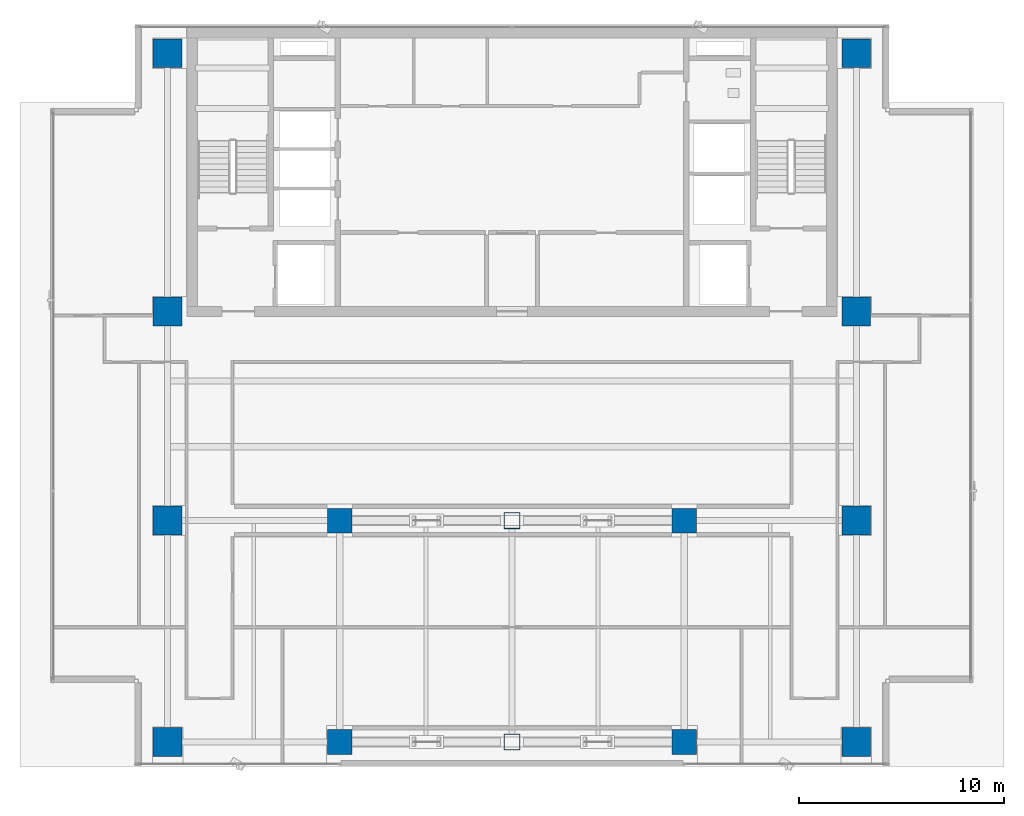
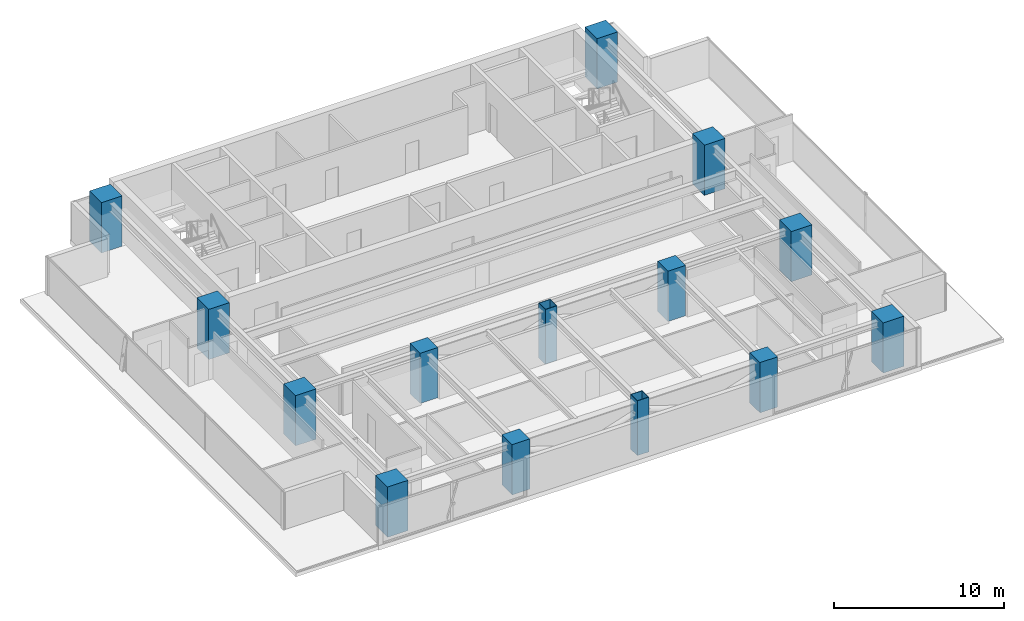
# One storey, part 1 of 27: 14 columns.
"""IFC4 building model written with IfcOpenShell, lengths in metres."""

from ifc_helpers import new_model, si_unit, direction, frame, origin, origin_2d, place, context, subcontext, project, spatial, rectangle, hollow_rectangle, extrude, source, transform, mapped, material, material_profile, profile_set, type_object, element, save


model = new_model("IFC4")

# Units and contexts
model_context = context("Model", 3, precision=1e-05, world=origin(), true_north=direction((0.0, 1.0)))
body_context = subcontext(model_context, "Body", "Model", "MODEL_VIEW")
ifc_project = project(units=[si_unit("LENGTHUNIT", "METRE"), si_unit("AREAUNIT", "SQUARE_METRE"), si_unit("VOLUMEUNIT", "CUBIC_METRE"), si_unit("PLANEANGLEUNIT", "RADIAN"), si_unit("MASSUNIT", "GRAM", prefix="KILO")], contexts=[model_context])

# Site, building, storey
site_placement = place(None, origin())
site = spatial("IfcSite", under=ifc_project, at=site_placement, CompositionType="ELEMENT")
building_placement = place(site_placement, origin())
building = spatial("IfcBuilding", under=site, at=building_placement, Name="Sumidabori Civic Tower", CompositionType="ELEMENT")
storey_placement = place(building_placement, frame((0.0, 0.0, 228.800048828125)))
storey = spatial("IfcBuildingStorey", under=building, at=storey_placement, Name="L59", CompositionType="ELEMENT", Elevation=228.800048828125)

# Columns
ifc_material_1 = material(Name="Concrete C60/75", Category="concrete")
ifc_material_profile_1 = material_profile(ifc_material_1, rectangle(XDim=1.39990234375, YDim=1.39990234375, at=origin_2d()), Name="RC 1400x1400")
ifc_profile_set_1 = profile_set([ifc_material_profile_1], Name="Concrete C60/75")
column_type_1 = type_object("IfcColumnType", Name="CL-MEGA-1400", PredefinedType="COLUMN", material=ifc_profile_set_1)
shared_shape_1 = source(origin(), body_context, "Body", "SweptSolid", [
    extrude(rectangle(XDim=1.39990234375, YDim=1.39990234375, at=origin_2d()), origin(), (0.0, 0.0, 1.0), 3.599853515625),
])
for number, where, z_axis, x_axis, name in (
    (1, (-16.800048828125, -10.800048828125, 0.0), (0.0, 0.0, 1.0), (1.0, 0.0, 0.0), "Column MC-W16-Y11S L59"),
    (2, (-16.800048828125, 0.0, 0.0), (0.0, 0.0, 1.0), (1.0, 0.0, 0.0), "Column MC-W16-Y00 L59"),
    (3, (-16.800048828125, 10.199951171875, 0.0), (0.0, 0.0, 1.0), (1.0, 0.0, 0.0), "Column MC-W16-Y10N L59"),
    (4, (-16.800048828125, 22.800048828125, 0.0), (0.0, 0.0, 1.0), (1.0, 0.0, 0.0), "Column MC-W16-Y23N L59"),
    (5, (16.800048828125, -10.800048828125, 0.0), (0.0, 0.0, 1.0), (1.0, 0.0, 0.0), "Column MC-E16-Y11S L59"),
    (6, (16.800048828125, 0.0, 0.0), (0.0, 0.0, 1.0), (1.0, 0.0, 0.0), "Column MC-E16-Y00 L59"),
    (7, (16.800048828125, 10.199951171875, 0.0), (0.0, 0.0, 1.0), (1.0, 0.0, 0.0), "Column MC-E16-Y10N L59"),
    (8, (16.800048828125, 22.800048828125, 0.0), (0.0, 0.0, 1.0), (1.0, 0.0, 0.0), "Column MC-E16-Y23N L59"),
):
    element("IfcColumn", number, at=place(storey_placement, frame(where, z_axis=z_axis, x_axis=x_axis)), inside=storey, type_object=column_type_1, Name=name, PredefinedType="COLUMN", context=body_context, shape_type="MappedRepresentation", body=[
        mapped(shared_shape_1, transform((0.0, 0.0, 0.0), x_axis=(1.0, 0.0, 0.0), y_axis=(0.0, 1.0, 0.0), z_axis=(0.0, 0.0, 1.0), scale=1.0)),
    ])
ifc_material_2 = material(Name="Concrete C50/60", Category="concrete")
ifc_material_profile_2 = material_profile(ifc_material_2, rectangle(XDim=1.199951171875, YDim=1.199951171875, at=origin_2d()), Name="RC 1200x1200")
ifc_profile_set_2 = profile_set([ifc_material_profile_2], Name="Concrete C50/60")
column_type_2 = type_object("IfcColumnType", Name="CL-MEGA-1200", PredefinedType="COLUMN", material=ifc_profile_set_2)
shared_shape_2 = source(origin(), body_context, "Body", "SweptSolid", [
    extrude(rectangle(XDim=1.199951171875, YDim=1.199951171875, at=origin_2d()), origin(), (0.0, 0.0, 1.0), 3.599853515625),
])
for number, where, z_axis, x_axis, name in (
    (9, (-8.39990234375, 0.0, 0.0), (0.0, 0.0, 1.0), (1.0, 0.0, 0.0), "Column MC-W08-Y00 L59"),
    (10, (-8.39990234375, -10.800048828125, 0.0), (0.0, 0.0, 1.0), (1.0, 0.0, 0.0), "Column MC-W08-Y11S L59"),
    (11, (8.39990234375, 0.0, 0.0), (0.0, 0.0, 1.0), (1.0, 0.0, 0.0), "Column MC-E08-Y00 L59"),
    (12, (8.39990234375, -10.800048828125, 0.0), (0.0, 0.0, 1.0), (1.0, 0.0, 0.0), "Column MC-E08-Y11S L59"),
):
    element("IfcColumn", number, at=place(storey_placement, frame(where, z_axis=z_axis, x_axis=x_axis)), inside=storey, type_object=column_type_2, Name=name, PredefinedType="COLUMN", context=body_context, shape_type="MappedRepresentation", body=[
        mapped(shared_shape_2, transform((0.0, 0.0, 0.0), x_axis=(1.0, 0.0, 0.0), y_axis=(0.0, 1.0, 0.0), z_axis=(0.0, 0.0, 1.0), scale=1.0)),
    ])
ifc_material_3 = material(Name="Steel SN490", Category="steel")
ifc_material_profile_3 = material_profile(ifc_material_3, hollow_rectangle(XDim=0.800048828125, YDim=0.800048828125, WallThickness=0.035888671875, at=origin_2d()), Name="SHS 800x800x36")
ifc_profile_set_3 = profile_set([ifc_material_profile_3], Name="Steel SN490")
column_type_3 = type_object("IfcColumnType", Name="CL-TRUSS-SHS800", PredefinedType="COLUMN", material=ifc_profile_set_3)
shared_shape_3 = source(origin(), body_context, "Body", "SweptSolid", [
    extrude(hollow_rectangle(XDim=0.800048828125, YDim=0.800048828125, WallThickness=0.035888671875, at=origin_2d()), origin(), (0.0, 0.0, 1.0), 3.919921875),
])
for number, where, z_axis, x_axis, name in (
    (13, (0.0, -10.800048828125, -0.320068359375), (0.0, 0.0, 1.0), (1.0, 0.0, 0.0), "Column MC-C00-Y11S L59"),
    (14, (0.0, 0.0, -0.320068359375), (0.0, 0.0, 1.0), (1.0, 0.0, 0.0), "Column MC-C00-Y00 L59"),
):
    element("IfcColumn", number, at=place(storey_placement, frame(where, z_axis=z_axis, x_axis=x_axis)), inside=storey, type_object=column_type_3, Name=name, PredefinedType="COLUMN", context=body_context, shape_type="MappedRepresentation", body=[
        mapped(shared_shape_3, transform((0.0, 0.0, 0.0), x_axis=(1.0, 0.0, 0.0), y_axis=(0.0, 1.0, 0.0), z_axis=(0.0, 0.0, 1.0), scale=1.0)),
    ])

save(model, "model.ifc")
